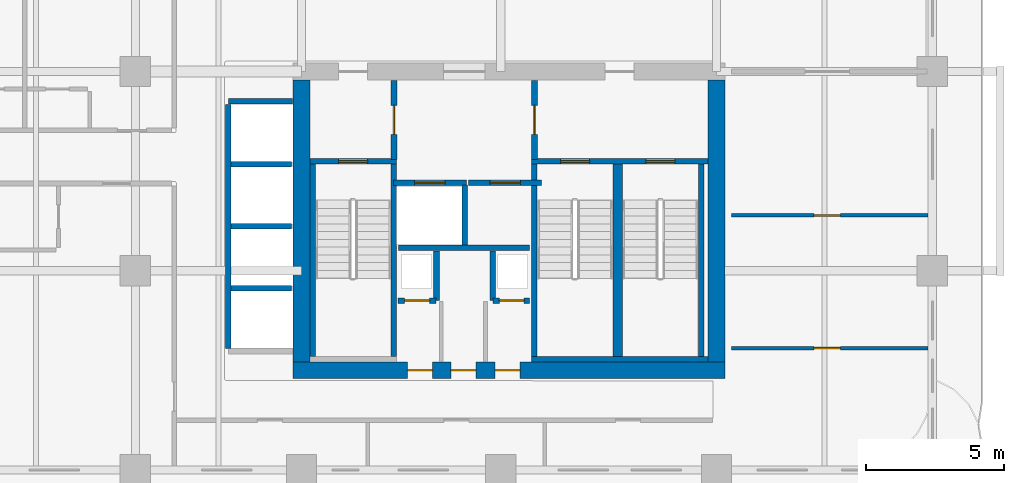
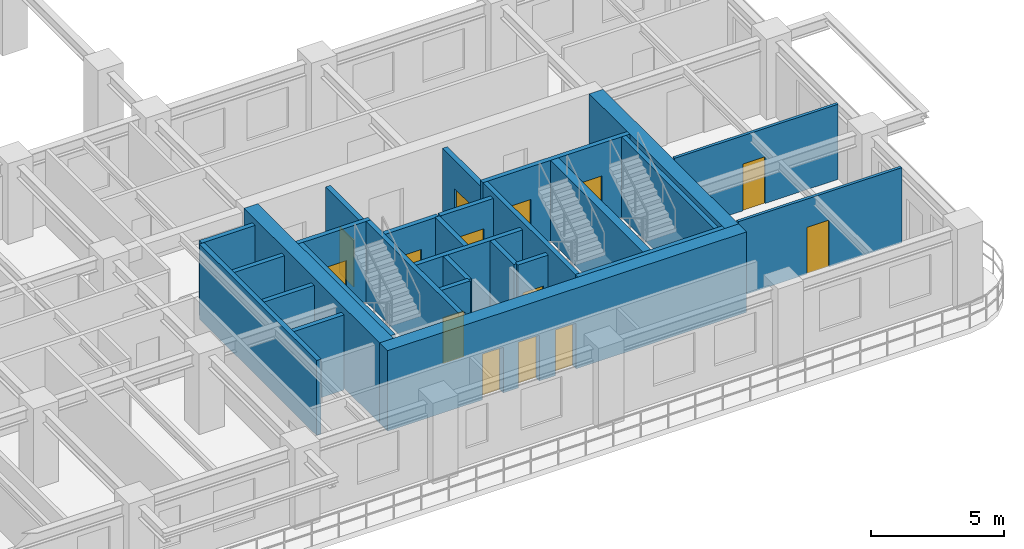
# One storey, part 8 of 18: 28 walls, 14 doors, 14 openings.
"""IFC4 building model written with IfcOpenShell, lengths in metres."""

from ifc_helpers import new_model, si_unit, derived_unit, direction, frame, frame_2d, origin, place, context, subcontext, project, spatial, rectangle, extrude, source, transform, mapped, material, layer, layer_set, type_object, type_shapes, element, fill, save


model = new_model("IFC4")

# Units and contexts
model_context = context("Model", 3, precision=1e-05, world=origin(), true_north=direction((0.0, 1.0)))
body_context = subcontext(model_context, "Body", "Model", "MODEL_VIEW")
ifc_project = project(units=[si_unit("LENGTHUNIT", "METRE"), si_unit("AREAUNIT", "SQUARE_METRE"), si_unit("VOLUMEUNIT", "CUBIC_METRE"), si_unit("PLANEANGLEUNIT", "RADIAN"), si_unit("MASSUNIT", "GRAM", prefix="KILO"), si_unit("THERMODYNAMICTEMPERATUREUNIT", "KELVIN"), si_unit("POWERUNIT", "WATT"), derived_unit("THERMALTRANSMITTANCEUNIT", [(si_unit("POWERUNIT", "WATT"), 1), (si_unit("AREAUNIT", "SQUARE_METRE"), -1), (si_unit("THERMODYNAMICTEMPERATUREUNIT", "KELVIN"), -1)])], contexts=[model_context])

# Site, building, storey
site_placement = place(None, origin())
site = spatial("IfcSite", under=ifc_project, at=site_placement, CompositionType="ELEMENT")
building_placement = place(site_placement, origin())
building = spatial("IfcBuilding", under=site, at=building_placement, Name="Zahravan Archway Hotel and Residences", CompositionType="ELEMENT")
storey_placement = place(building_placement, frame((0.0, 0.0, 50.89990234375)))
storey = spatial("IfcBuildingStorey", under=building, at=storey_placement, Name="L11", CompositionType="ELEMENT", Elevation=50.89990234375)

# Wall, openings, doors
ifc_material_1 = material(Name="Concrete C70/85", Category="concrete")
ifc_layer_1 = layer(ifc_material_1, 0.60009765625, Name="Concrete C70/85", Category="concrete")
ifc_layer_set_1 = layer_set([ifc_layer_1], Name="Concrete C70/85")
wall_type_1 = type_object("IfcWallType", Name="CW-CORE-600", PredefinedType="SHEAR", material=ifc_layer_set_1)
wall_1_placement = place(storey_placement, frame((34.5, 3.60009765625, 0.0), z_axis=(0.0, 0.0, 1.0), x_axis=(1.0, 0.0, 0.0)))
wall_1 = element("IfcWall", 1, at=wall_1_placement, inside=storey, type_object=wall_type_1, Name="L11 Core A Shear S Wall 600 mm", PredefinedType="SHEAR", context=body_context, shape_type="SweptSolid", body=[
    extrude(rectangle(XDim=15.60009765625, YDim=0.60009765625, at=frame_2d((7.800048828125, 0.0))), origin(), (0.0, 0.0, 1.0), 3.7001953125),
])
opening_1_placement = place(wall_1_placement, frame((4.1298828125, 0.0, 0.0)))
opening_1 = element("IfcOpeningElement", 2, at=opening_1_placement, cuts=wall_1, Name="Opening FD-R1", PredefinedType="OPENING", context=body_context, shape_type="SweptSolid", body=[
    extrude(rectangle(XDim=0.89990234375, YDim=2.10009765625, at=frame_2d((0.449951171875, 1.050048828125))), frame((0.0, 0.31005859375, 0.0), z_axis=(0.0, -1.0, 0.0), x_axis=(1.0, 0.0, 0.0)), (0.0, 0.0, 1.0), 0.6201171875),
])
opening_2_placement = place(wall_1_placement, frame((5.699951171875, 0.0, 0.0)))
opening_2 = element("IfcOpeningElement", 3, at=opening_2_placement, cuts=wall_1, Name="Opening FD-R1", PredefinedType="OPENING", context=body_context, shape_type="SweptSolid", body=[
    extrude(rectangle(XDim=0.89990234375, YDim=2.10009765625, at=frame_2d((0.449951171875, 1.050048828125))), frame((0.0, 0.31005859375, 0.0), z_axis=(0.0, -1.0, 0.0), x_axis=(1.0, 0.0, 0.0)), (0.0, 0.0, 1.0), 0.6201171875),
])
opening_3_placement = place(wall_1_placement, frame((7.300048828125, 0.0, 0.0)))
opening_3 = element("IfcOpeningElement", 4, at=opening_3_placement, cuts=wall_1, Name="Opening FD-R1", PredefinedType="OPENING", context=body_context, shape_type="SweptSolid", body=[
    extrude(rectangle(XDim=0.89990234375, YDim=2.10009765625, at=frame_2d((0.449951171875, 1.050048828125))), frame((0.0, 0.31005859375, 0.0), z_axis=(0.0, -1.0, 0.0), x_axis=(1.0, 0.0, 0.0)), (0.0, 0.0, 1.0), 0.6201171875),
])
ifc_material_2 = material(Name="Fire-Rated Painted Steel", Category="steel")
door_type_1 = type_object("IfcDoorType", Name="FD-RISER-900", OperationType="NOTDEFINED", PredefinedType="DOOR", material=ifc_material_2)
shared_shape_1 = source(origin(), body_context, "Body", "SweptSolid", [
    extrude(rectangle(XDim=0.89990234375, YDim=2.10009765625, at=frame_2d((0.449951171875, 1.050048828125))), frame((0.0, 0.02490234375, 0.0), z_axis=(0.0, -1.0, 0.0), x_axis=(1.0, 0.0, 0.0)), (0.0, 0.0, 1.0), 0.050048828125),
])
type_shapes(door_type_1, [shared_shape_1])
door_1_placement = place(opening_1_placement, origin())
door_1 = element("IfcDoor", 5, at=door_1_placement, inside=storey, type_object=door_type_1, Name="L11 Linen Store Door", OperationType="SINGLE_SWING_RIGHT", OverallHeight=2.10009765625, OverallWidth=0.89990234375, PredefinedType="DOOR", context=body_context, shape_type="MappedRepresentation", body=[
    mapped(shared_shape_1, transform((0.0, 0.0, 0.0), scale=1.0)),
])
fill(opening_1, door_1)
door_2_placement = place(opening_2_placement, origin())
door_2 = element("IfcDoor", 6, at=door_2_placement, inside=storey, type_object=door_type_1, Name="L11 Housekeeping Store Door", OperationType="SINGLE_SWING_LEFT", OverallHeight=2.10009765625, OverallWidth=0.89990234375, PredefinedType="DOOR", context=body_context, shape_type="MappedRepresentation", body=[
    mapped(shared_shape_1, transform((0.0, 0.0, 0.0), scale=1.0)),
])
fill(opening_2, door_2)
door_3_placement = place(opening_3_placement, origin())
door_3 = element("IfcDoor", 7, at=door_3_placement, inside=storey, type_object=door_type_1, Name="L11 Janitor Store Door", OperationType="SINGLE_SWING_RIGHT", OverallHeight=2.10009765625, OverallWidth=0.89990234375, PredefinedType="DOOR", context=body_context, shape_type="MappedRepresentation", body=[
    mapped(shared_shape_1, transform((0.0, 0.0, 0.0), scale=1.0)),
])
fill(opening_3, door_3)

# Walls
for number, where, z_axis, x_axis, name in (
    (8, (34.800048828125, 3.89990234375, 0.0), (0.0, 0.0, 1.0), (0.0, 1.0, 0.0), "L11 Core A Shear W Wall 600 mm"),
    (9, (49.800048828125, 3.89990234375, 0.0), (0.0, 0.0, 1.0), (0.0, 1.0, 0.0), "L11 Core A Shear E Wall 600 mm"),
):
    element("IfcWall", number, at=place(storey_placement, frame(where, z_axis=z_axis, x_axis=x_axis)), inside=storey, type_object=wall_type_1, Name=name, PredefinedType="SHEAR", context=body_context, shape_type="SweptSolid", body=[
        extrude(rectangle(XDim=10.2001953125, YDim=0.60009765625, at=frame_2d((5.10009765625, 0.0))), origin(), (0.0, 0.0, 1.0), 3.7001953125),
    ])

# Wall, opening, door
ifc_material_3 = material(Name="Fire-Rated Gypsum & Concrete Block", Category="concrete")
ifc_layer_2 = layer(ifc_material_3, 0.219970703125, Name="Fire-Rated Gypsum & Concrete Block", Category="concrete")
ifc_layer_set_2 = layer_set([ifc_layer_2], Name="Fire-Rated Gypsum & Concrete Block")
wall_type_2 = type_object("IfcWallType", Name="PW-COMP-220", PredefinedType="PARTITIONING", material=ifc_layer_set_2)
wall_2_placement = place(storey_placement, frame((38.139892578125, 11.219970703125, 0.0), z_axis=(0.0, 0.0, 1.0), x_axis=(0.0, 1.0, 0.0)))
wall_2 = element("IfcWall", 10, at=wall_2_placement, inside=storey, type_object=wall_type_2, Name="L11 Partition CA-LOBW", PredefinedType="PARTITIONING", context=body_context, shape_type="SweptSolid", body=[
    extrude(rectangle(XDim=2.860107421875, YDim=0.219970703125, at=frame_2d((1.43017578125, 0.0))), origin(), (0.0, 0.0, 1.0), 3.4501953125),
])
opening_4_placement = place(wall_2_placement, frame((0.905029296875, 0.0, 0.0)))
opening_4 = element("IfcOpeningElement", 11, at=opening_4_placement, cuts=wall_2, Name="Opening FD-L2", PredefinedType="OPENING", context=body_context, shape_type="SweptSolid", body=[
    extrude(rectangle(XDim=1.050048828125, YDim=2.14990234375, at=frame_2d((0.52490234375, 1.074951171875))), frame((0.0, 0.1201171875, 0.0), z_axis=(0.0, -1.0, 0.0), x_axis=(1.0, 0.0, 0.0)), (0.0, 0.0, 1.0), 0.239990234375),
])
door_type_2 = type_object("IfcDoorType", Name="FD-LOBBY-1100", OperationType="NOTDEFINED", PredefinedType="DOOR", material=ifc_material_2)
shared_shape_2 = source(origin(), body_context, "Body", "SweptSolid", [
    extrude(rectangle(XDim=1.050048828125, YDim=2.14990234375, at=frame_2d((0.52490234375, 1.074951171875))), frame((0.0, 0.02490234375, 0.0), z_axis=(0.0, -1.0, 0.0), x_axis=(1.0, 0.0, 0.0)), (0.0, 0.0, 1.0), 0.050048828125),
])
type_shapes(door_type_2, [shared_shape_2])
door_4_placement = place(opening_4_placement, origin())
door_4 = element("IfcDoor", 12, at=door_4_placement, inside=storey, type_object=door_type_2, Name="L11 Core A West Stair to FSAE Lobby Door", OperationType="SINGLE_SWING_RIGHT", OverallHeight=2.14990234375, OverallWidth=1.050048828125, PredefinedType="DOOR", context=body_context, shape_type="MappedRepresentation", body=[
    mapped(shared_shape_2, transform((0.0, 0.0, 0.0), scale=1.0)),
])
fill(opening_4, door_4)

wall_3_placement = place(storey_placement, frame((43.219970703125, 11.219970703125, 0.0), z_axis=(0.0, 0.0, 1.0), x_axis=(0.0, 1.0, 0.0)))
wall_3 = element("IfcWall", 13, at=wall_3_placement, inside=storey, type_object=wall_type_2, Name="L11 Partition CA-LOBE", PredefinedType="PARTITIONING", context=body_context, shape_type="SweptSolid", body=[
    extrude(rectangle(XDim=2.860107421875, YDim=0.219970703125, at=frame_2d((1.43017578125, 0.0))), origin(), (0.0, 0.0, 1.0), 3.4501953125),
])
opening_5_placement = place(wall_3_placement, frame((0.905029296875, 0.0, 0.0)))
opening_5 = element("IfcOpeningElement", 14, at=opening_5_placement, cuts=wall_3, Name="Opening FD-L2", PredefinedType="OPENING", context=body_context, shape_type="SweptSolid", body=[
    extrude(rectangle(XDim=1.050048828125, YDim=2.14990234375, at=frame_2d((0.52490234375, 1.074951171875))), frame((0.0, 0.1201171875, 0.0), z_axis=(0.0, -1.0, 0.0), x_axis=(1.0, 0.0, 0.0)), (0.0, 0.0, 1.0), 0.239990234375),
])
door_5_placement = place(opening_5_placement, origin())
door_5 = element("IfcDoor", 15, at=door_5_placement, inside=storey, type_object=door_type_2, Name="L11 Core A East Stair to FSAE Lobby Door", OperationType="SINGLE_SWING_LEFT", OverallHeight=2.14990234375, OverallWidth=1.050048828125, PredefinedType="DOOR", context=body_context, shape_type="MappedRepresentation", body=[
    mapped(shared_shape_2, transform((0.0, 0.0, 0.0), scale=1.0)),
])
fill(opening_5, door_5)

ifc_material_4 = material(Name="Acoustic Stud Partition")
ifc_layer_3 = layer(ifc_material_4, 0.125, Name="Acoustic Stud Partition")
ifc_layer_set_3 = layer_set([ifc_layer_3], Name="Acoustic Stud Partition")
wall_type_3 = type_object("IfcWallType", Name="PW-INT-125", PredefinedType="PARTITIONING", material=ifc_layer_set_3)
wall_4_placement = place(storey_placement, frame((50.340087890625, 9.199951171875, 0.0), z_axis=(0.0, 0.0, 1.0), x_axis=(1.0, 0.0, 0.0)))
wall_4 = element("IfcWall", 16, at=wall_4_placement, inside=storey, type_object=wall_type_3, Name="L11 Partition EA-EH1", PredefinedType="PARTITIONING", context=body_context, shape_type="SweptSolid", body=[
    extrude(rectangle(XDim=7.11181640625, YDim=0.125, at=frame_2d((3.555908203125, 0.0))), origin(), (0.0, 0.0, 1.0), 3.4501953125),
])
opening_6_placement = place(wall_4_placement, frame((2.985107421875, 0.0, 0.0)))
opening_6 = element("IfcOpeningElement", 17, at=opening_6_placement, cuts=wall_4, Name="Opening D-I1", PredefinedType="OPENING", context=body_context, shape_type="SweptSolid", body=[
    extrude(rectangle(XDim=0.949951171875, YDim=2.14990234375, at=frame_2d((0.47509765625, 1.074951171875))), frame((0.0, 0.072509765625, 0.0), z_axis=(0.0, -1.0, 0.0), x_axis=(1.0, 0.0, 0.0)), (0.0, 0.0, 1.0), 0.14501953125),
])
ifc_material_5 = material(Name="Hardwood Veneer Timber", Category="wood")
door_type_3 = type_object("IfcDoorType", Name="ID-INT-950", OperationType="NOTDEFINED", PredefinedType="DOOR", material=ifc_material_5)
shared_shape_3 = source(origin(), body_context, "Body", "SweptSolid", [
    extrude(rectangle(XDim=0.949951171875, YDim=2.14990234375, at=frame_2d((0.47509765625, 1.074951171875))), frame((0.0, 0.02490234375, 0.0), z_axis=(0.0, -1.0, 0.0), x_axis=(1.0, 0.0, 0.0)), (0.0, 0.0, 1.0), 0.050048828125),
])
type_shapes(door_type_3, [shared_shape_3])
door_6_placement = place(opening_6_placement, origin())
door_6 = element("IfcDoor", 18, at=door_6_placement, inside=storey, type_object=door_type_3, Name="L11 East Study Lounge Door", OperationType="SINGLE_SWING_RIGHT", OverallHeight=2.14990234375, OverallWidth=0.949951171875, PredefinedType="DOOR", context=body_context, shape_type="MappedRepresentation", body=[
    mapped(shared_shape_3, transform((0.0, 0.0, 0.0), scale=1.0)),
])
fill(opening_6, door_6)

wall_5_placement = place(storey_placement, frame((50.340087890625, 4.39990234375, 0.0), z_axis=(0.0, 0.0, 1.0), x_axis=(1.0, 0.0, 0.0)))
wall_5 = element("IfcWall", 19, at=wall_5_placement, inside=storey, type_object=wall_type_3, Name="L11 Partition EA-EH2", PredefinedType="PARTITIONING", context=body_context, shape_type="SweptSolid", body=[
    extrude(rectangle(XDim=7.11181640625, YDim=0.125, at=frame_2d((3.555908203125, 0.0))), origin(), (0.0, 0.0, 1.0), 3.4501953125),
])
opening_7_placement = place(wall_5_placement, frame((2.985107421875, 0.0, 0.0)))
opening_7 = element("IfcOpeningElement", 20, at=opening_7_placement, cuts=wall_5, Name="Opening D-I1", PredefinedType="OPENING", context=body_context, shape_type="SweptSolid", body=[
    extrude(rectangle(XDim=0.949951171875, YDim=2.14990234375, at=frame_2d((0.47509765625, 1.074951171875))), frame((0.0, 0.072509765625, 0.0), z_axis=(0.0, -1.0, 0.0), x_axis=(1.0, 0.0, 0.0)), (0.0, 0.0, 1.0), 0.14501953125),
])
door_7_placement = place(opening_7_placement, origin())
door_7 = element("IfcDoor", 21, at=door_7_placement, inside=storey, type_object=door_type_3, Name="L11 East Clinic Consult Door", OperationType="SINGLE_SWING_LEFT", OverallHeight=2.14990234375, OverallWidth=0.949951171875, PredefinedType="DOOR", context=body_context, shape_type="MappedRepresentation", body=[
    mapped(shared_shape_3, transform((0.0, 0.0, 0.0), scale=1.0)),
])
fill(opening_7, door_7)

# Walls
ifc_layer_4 = layer(ifc_material_3, 0.199951171875, Name="Fire-Rated Gypsum & Concrete Block", Category="concrete")
ifc_layer_set_4 = layer_set([ifc_layer_4], Name="Fire-Rated Gypsum & Concrete Block")
wall_type_4 = type_object("IfcWallType", Name="PW-SHAFT-200", PredefinedType="PARTITIONING", material=ifc_layer_set_4)
wall_6_placement = place(storey_placement, frame((38.300048828125, 8.030029296875, 0.0), z_axis=(0.0, 0.0, 1.0), x_axis=(1.0, 0.0, 0.0)))
element("IfcWall", 22, at=wall_6_placement, inside=storey, type_object=wall_type_4, Name="L11 Partition CA-FLS", PredefinedType="PARTITIONING", context=body_context, shape_type="SweptSolid", body=[
    extrude(rectangle(XDim=4.739990234375, YDim=0.199951171875, at=frame_2d((2.3701171875, 0.0))), origin(), (0.0, 0.0, 1.0), 3.4501953125),
])
wall_7_placement = place(storey_placement, frame((40.699951171875, 8.1201171875, 0.0), z_axis=(0.0, 0.0, 1.0), x_axis=(0.0, 1.0, 0.0)))
element("IfcWall", 23, at=wall_7_placement, inside=storey, type_object=wall_type_4, Name="L11 Partition CA-FLM", PredefinedType="PARTITIONING", context=body_context, shape_type="SweptSolid", body=[
    extrude(rectangle(XDim=2.179931640625, YDim=0.199951171875, at=frame_2d((1.08984375, 0.0))), origin(), (0.0, 0.0, 1.0), 3.4501953125),
])

# Wall, opening, door
wall_8_placement = place(storey_placement, frame((38.2900390625, 6.1201171875, 0.0), z_axis=(0.0, 0.0, 1.0), x_axis=(1.0, 0.0, 0.0)))
wall_8 = element("IfcWall", 24, at=wall_8_placement, inside=storey, type_object=wall_type_4, Name="L11 Partition CA-SMKS", PredefinedType="PARTITIONING", context=body_context, shape_type="SweptSolid", body=[
    extrude(rectangle(XDim=1.3798828125, YDim=0.199951171875, at=frame_2d((0.68994140625, 0.0))), origin(), (0.0, 0.0, 1.0), 3.4501953125),
])
opening_8_placement = place(wall_8_placement, frame((0.239990234375, 0.0, 0.0)))
opening_8 = element("IfcOpeningElement", 25, at=opening_8_placement, cuts=wall_8, Name="Opening FD-R1", PredefinedType="OPENING", context=body_context, shape_type="SweptSolid", body=[
    extrude(rectangle(XDim=0.89990234375, YDim=2.10009765625, at=frame_2d((0.449951171875, 1.050048828125))), frame((0.0, 0.10986328125, 0.0), z_axis=(0.0, -1.0, 0.0), x_axis=(1.0, 0.0, 0.0)), (0.0, 0.0, 1.0), 0.219970703125),
])
door_8_placement = place(opening_8_placement, origin())
door_8 = element("IfcDoor", 26, at=door_8_placement, inside=storey, type_object=door_type_1, Name="L11 Smoke Riser Access Door", OperationType="SINGLE_SWING_RIGHT", OverallHeight=2.10009765625, OverallWidth=0.89990234375, PredefinedType="DOOR", context=body_context, shape_type="MappedRepresentation", body=[
    mapped(shared_shape_1, transform((0.0, 0.0, 0.0), scale=1.0)),
])
fill(opening_8, door_8)

# Wall
wall_9_placement = place(storey_placement, frame((39.679931640625, 6.1298828125, 0.0), z_axis=(0.0, 0.0, 1.0), x_axis=(0.0, 1.0, 0.0)))
element("IfcWall", 27, at=wall_9_placement, inside=storey, type_object=wall_type_4, Name="L11 Partition CA-SMKE", PredefinedType="PARTITIONING", context=body_context, shape_type="SweptSolid", body=[
    extrude(rectangle(XDim=1.7900390625, YDim=0.199951171875, at=frame_2d((0.89501953125, 0.0))), origin(), (0.0, 0.0, 1.0), 3.4501953125),
])

# Wall, opening, door
wall_10_placement = place(storey_placement, frame((41.72998046875, 6.1201171875, 0.0), z_axis=(0.0, 0.0, 1.0), x_axis=(1.0, 0.0, 0.0)))
wall_10 = element("IfcWall", 28, at=wall_10_placement, inside=storey, type_object=wall_type_4, Name="L11 Partition CA-MEPS", PredefinedType="PARTITIONING", context=body_context, shape_type="SweptSolid", body=[
    extrude(rectangle(XDim=1.320068359375, YDim=0.199951171875, at=frame_2d((0.66015625, 0.0))), origin(), (0.0, 0.0, 1.0), 3.4501953125),
])
opening_9_placement = place(wall_10_placement, frame((0.219970703125, 0.0, 0.0)))
opening_9 = element("IfcOpeningElement", 29, at=opening_9_placement, cuts=wall_10, Name="Opening FD-R1", PredefinedType="OPENING", context=body_context, shape_type="SweptSolid", body=[
    extrude(rectangle(XDim=0.89990234375, YDim=2.10009765625, at=frame_2d((0.449951171875, 1.050048828125))), frame((0.0, 0.10986328125, 0.0), z_axis=(0.0, -1.0, 0.0), x_axis=(1.0, 0.0, 0.0)), (0.0, 0.0, 1.0), 0.219970703125),
])
door_9_placement = place(opening_9_placement, origin())
door_9 = element("IfcDoor", 30, at=door_9_placement, inside=storey, type_object=door_type_1, Name="L11 MEP Riser Access Door", OperationType="SINGLE_SWING_LEFT", OverallHeight=2.10009765625, OverallWidth=0.89990234375, PredefinedType="DOOR", context=body_context, shape_type="MappedRepresentation", body=[
    mapped(shared_shape_1, transform((0.0, 0.0, 0.0), scale=1.0)),
])
fill(opening_9, door_9)

# Walls
wall_11_placement = place(storey_placement, frame((41.719970703125, 6.1298828125, 0.0), z_axis=(0.0, 0.0, 1.0), x_axis=(0.0, 1.0, 0.0)))
element("IfcWall", 31, at=wall_11_placement, inside=storey, type_object=wall_type_4, Name="L11 Partition CA-MEPW", PredefinedType="PARTITIONING", context=body_context, shape_type="SweptSolid", body=[
    extrude(rectangle(XDim=1.7900390625, YDim=0.199951171875, at=frame_2d((0.89501953125, 0.0))), origin(), (0.0, 0.0, 1.0), 3.4501953125),
])
wall_12_placement = place(storey_placement, frame((32.159912109375, 13.320068359375, 0.0), z_axis=(0.0, 0.0, 1.0), x_axis=(1.0, 0.0, 0.0)))
element("IfcWall", 32, at=wall_12_placement, inside=storey, type_object=wall_type_4, Name="L11 Partition B3-N", PredefinedType="PARTITIONING", context=body_context, shape_type="SweptSolid", body=[
    extrude(rectangle(XDim=2.31005859375, YDim=0.199951171875, at=frame_2d((1.155029296875, 0.0))), origin(), (0.0, 0.0, 1.0), 3.4501953125),
])
wall_13_placement = place(storey_placement, frame((32.14990234375, 4.389892578125, 0.0), z_axis=(0.0, 0.0, 1.0), x_axis=(0.0, 1.0, 0.0)))
element("IfcWall", 33, at=wall_13_placement, inside=storey, type_object=wall_type_4, Name="L11 Partition B3-W", PredefinedType="PARTITIONING", context=body_context, shape_type="SweptSolid", body=[
    extrude(rectangle(XDim=8.820068359375, YDim=0.199951171875, at=frame_2d((4.41015625, 0.0))), origin(), (0.0, 0.0, 1.0), 3.4501953125),
])
for number, where, z_axis, x_axis, name in (
    (34, (32.260009765625, 6.56005859375, 0.0), (0.0, 0.0, 1.0), (1.0, 0.0, 0.0), "L11 Partition B3-D"),
    (35, (32.260009765625, 8.800048828125, 0.0), (0.0, 0.0, 1.0), (1.0, 0.0, 0.0), "L11 Partition B3-D"),
    (36, (32.260009765625, 11.0400390625, 0.0), (0.0, 0.0, 1.0), (1.0, 0.0, 0.0), "L11 Partition B3-D"),
):
    element("IfcWall", number, at=place(storey_placement, frame(where, z_axis=z_axis, x_axis=x_axis)), inside=storey, type_object=wall_type_4, Name=name, PredefinedType="PARTITIONING", context=body_context, shape_type="SweptSolid", body=[
        extrude(rectangle(XDim=2.179931640625, YDim=0.199951171875, at=frame_2d((1.08984375, 0.0))), origin(), (0.0, 0.0, 1.0), 3.4501953125),
    ])

# Wall, opening, door
wall_14_placement = place(storey_placement, frame((38.1201171875, 10.3701171875, 0.0), z_axis=(0.0, 0.0, 1.0), x_axis=(1.0, 0.0, 0.0)))
wall_14 = element("IfcWall", 37, at=wall_14_placement, inside=storey, type_object=wall_type_4, Name="L11 Lift FL-1 Front Wall", PredefinedType="PARTITIONING", context=body_context, shape_type="SweptSolid", body=[
    extrude(rectangle(XDim=2.639892578125, YDim=0.199951171875, at=frame_2d((1.31982421875, 0.0))), origin(), (0.0, 0.0, 1.0), 3.4501953125),
])
opening_10_placement = place(wall_14_placement, frame((0.77001953125, 0.0, 0.0)))
opening_10 = element("IfcOpeningElement", 38, at=opening_10_placement, cuts=wall_14, Name="Opening LD", PredefinedType="OPENING", context=body_context, shape_type="SweptSolid", body=[
    extrude(rectangle(XDim=1.10009765625, YDim=2.199951171875, at=frame_2d((0.550048828125, 1.10009765625))), frame((0.0, 0.10986328125, 0.0), z_axis=(0.0, -1.0, 0.0), x_axis=(1.0, 0.0, 0.0)), (0.0, 0.0, 1.0), 0.219970703125),
])
ifc_material_6 = material(Name="Brushed Stainless Steel", Category="steel")
door_type_4 = type_object("IfcDoorType", Name="DR-LIFT-LD", OperationType="SLIDING_TO_LEFT", PredefinedType="DOOR", material=ifc_material_6)
shared_shape_4 = source(origin(), body_context, "Body", "SweptSolid", [
    extrude(rectangle(XDim=1.10009765625, YDim=2.199951171875, at=frame_2d((0.550048828125, 1.10009765625))), frame((0.0, 0.02490234375, 0.0), z_axis=(0.0, -1.0, 0.0), x_axis=(1.0, 0.0, 0.0)), (0.0, 0.0, 1.0), 0.050048828125),
])
type_shapes(door_type_4, [shared_shape_4])
door_10_placement = place(opening_10_placement, origin())
door_10 = element("IfcDoor", 39, at=door_10_placement, inside=storey, type_object=door_type_4, Name="L11 Lift FL-1 Sliding Landing Door", OperationType="SLIDING_TO_LEFT", OverallHeight=2.199951171875, OverallWidth=1.10009765625, PredefinedType="DOOR", context=body_context, shape_type="MappedRepresentation", body=[
    mapped(shared_shape_4, transform((0.0, 0.0, 0.0), scale=1.0)),
])
fill(opening_10, door_10)

wall_15_placement = place(storey_placement, frame((40.840087890625, 10.3701171875, 0.0), z_axis=(0.0, 0.0, 1.0), x_axis=(1.0, 0.0, 0.0)))
wall_15 = element("IfcWall", 40, at=wall_15_placement, inside=storey, type_object=wall_type_4, Name="L11 Lift FL-2 Front Wall", PredefinedType="PARTITIONING", context=body_context, shape_type="SweptSolid", body=[
    extrude(rectangle(XDim=2.639892578125, YDim=0.199951171875, at=frame_2d((1.31982421875, 0.0))), origin(), (0.0, 0.0, 1.0), 3.4501953125),
])
opening_11_placement = place(wall_15_placement, frame((0.77001953125, 0.0, 0.0)))
opening_11 = element("IfcOpeningElement", 41, at=opening_11_placement, cuts=wall_15, Name="Opening LD", PredefinedType="OPENING", context=body_context, shape_type="SweptSolid", body=[
    extrude(rectangle(XDim=1.10009765625, YDim=2.199951171875, at=frame_2d((0.550048828125, 1.10009765625))), frame((0.0, 0.10986328125, 0.0), z_axis=(0.0, -1.0, 0.0), x_axis=(1.0, 0.0, 0.0)), (0.0, 0.0, 1.0), 0.219970703125),
])
door_11_placement = place(opening_11_placement, origin())
door_11 = element("IfcDoor", 42, at=door_11_placement, inside=storey, type_object=door_type_4, Name="L11 Lift FL-2 Sliding Landing Door", OperationType="SLIDING_TO_LEFT", OverallHeight=2.199951171875, OverallWidth=1.10009765625, PredefinedType="DOOR", context=body_context, shape_type="MappedRepresentation", body=[
    mapped(shared_shape_4, transform((0.0, 0.0, 0.0), scale=1.0)),
])
fill(opening_11, door_11)

# Walls
ifc_material_7 = material(Name="Concrete C50/60", Category="concrete")
ifc_layer_5 = layer(ifc_material_7, 0.199951171875, Name="Concrete C50/60", Category="concrete")
ifc_layer_set_5 = layer_set([ifc_layer_5], Name="Concrete C50/60")
wall_type_5 = type_object("IfcWallType", Name="SW-STAIR-200", PredefinedType="SHEAR", material=ifc_layer_set_5)
for number, where, z_axis, x_axis, name in (
    (43, (35.199951171875, 4.10009765625, 0.0), (0.0, 0.0, 1.0), (0.0, 1.0, 0.0), "L11 Stairwell RC Wall CA-SA1W"),
    (44, (38.139892578125, 4.10009765625, 0.0), (0.0, 0.0, 1.0), (0.0, 1.0, 0.0), "L11 Stairwell RC Wall CA-SA1E"),
):
    element("IfcWall", number, at=place(storey_placement, frame(where, z_axis=z_axis, x_axis=x_axis)), inside=storey, type_object=wall_type_5, Name=name, PredefinedType="SHEAR", context=body_context, shape_type="SweptSolid", body=[
        extrude(rectangle(XDim=6.949951171875, YDim=0.199951171875, at=frame_2d((3.47509765625, 0.0))), origin(), (0.0, 0.0, 1.0), 3.7001953125),
    ])

# Wall, opening, door
wall_16_placement = place(storey_placement, frame((35.10009765625, 11.14990234375, 0.0), z_axis=(0.0, 0.0, 1.0), x_axis=(1.0, 0.0, 0.0)))
wall_16 = element("IfcWall", 45, at=wall_16_placement, inside=storey, type_object=wall_type_5, Name="L11 Stairwell RC Wall CA-SA1N", PredefinedType="SHEAR", context=body_context, shape_type="SweptSolid", body=[
    extrude(rectangle(XDim=3.139892578125, YDim=0.199951171875, at=frame_2d((1.56982421875, 0.0))), origin(), (0.0, 0.0, 1.0), 3.7001953125),
])
opening_12_placement = place(wall_16_placement, frame((1.044921875, 0.0, 0.0)))
opening_12 = element("IfcOpeningElement", 46, at=opening_12_placement, cuts=wall_16, Name="Opening FD-S1", PredefinedType="OPENING", context=body_context, shape_type="SweptSolid", body=[
    extrude(rectangle(XDim=1.050048828125, YDim=2.199951171875, at=frame_2d((0.52490234375, 1.10009765625))), frame((0.0, 0.10986328125, 0.0), z_axis=(0.0, -1.0, 0.0), x_axis=(1.0, 0.0, 0.0)), (0.0, 0.0, 1.0), 0.219970703125),
])
door_type_5 = type_object("IfcDoorType", Name="FD-STAIR-1100", OperationType="NOTDEFINED", PredefinedType="DOOR", material=ifc_material_2)
shared_shape_5 = source(origin(), body_context, "Body", "SweptSolid", [
    extrude(rectangle(XDim=1.050048828125, YDim=2.199951171875, at=frame_2d((0.52490234375, 1.10009765625))), frame((0.0, 0.02490234375, 0.0), z_axis=(0.0, -1.0, 0.0), x_axis=(1.0, 0.0, 0.0)), (0.0, 0.0, 1.0), 0.050048828125),
])
type_shapes(door_type_5, [shared_shape_5])
door_12_placement = place(opening_12_placement, origin())
door_12 = element("IfcDoor", 47, at=door_12_placement, inside=storey, type_object=door_type_5, Name="L11 Stair ST-A1 Door", OperationType="SINGLE_SWING_LEFT", OverallHeight=2.199951171875, OverallWidth=1.050048828125, PredefinedType="DOOR", context=body_context, shape_type="MappedRepresentation", body=[
    mapped(shared_shape_5, transform((0.0, 0.0, 0.0), scale=1.0)),
])
fill(opening_12, door_12)

# Walls
wall_17_placement = place(storey_placement, frame((43.1201171875, 4.0, 0.0), z_axis=(0.0, 0.0, 1.0), x_axis=(1.0, 0.0, 0.0)))
element("IfcWall", 48, at=wall_17_placement, inside=storey, type_object=wall_type_5, Name="L11 Stairwell RC Wall CA-SA23S", PredefinedType="SHEAR", context=body_context, shape_type="SweptSolid", body=[
    extrude(rectangle(XDim=6.3798828125, YDim=0.199951171875, at=frame_2d((3.18994140625, 0.0))), origin(), (0.0, 0.0, 1.0), 3.7001953125),
])
for number, where, z_axis, x_axis, name in (
    (49, (43.219970703125, 4.10009765625, 0.0), (0.0, 0.0, 1.0), (0.0, 1.0, 0.0), "L11 Stairwell RC Wall CA-SA2W"),
    (50, (49.239990234375, 4.10009765625, 0.0), (0.0, 0.0, 1.0), (0.0, 1.0, 0.0), "L11 Stairwell RC Wall CA-SA3E"),
):
    element("IfcWall", number, at=place(storey_placement, frame(where, z_axis=z_axis, x_axis=x_axis)), inside=storey, type_object=wall_type_5, Name=name, PredefinedType="SHEAR", context=body_context, shape_type="SweptSolid", body=[
        extrude(rectangle(XDim=6.949951171875, YDim=0.199951171875, at=frame_2d((3.47509765625, 0.0))), origin(), (0.0, 0.0, 1.0), 3.7001953125),
    ])

# Wall, openings, doors
wall_18_placement = place(storey_placement, frame((43.1201171875, 11.14990234375, 0.0), z_axis=(0.0, 0.0, 1.0), x_axis=(1.0, 0.0, 0.0)))
wall_18 = element("IfcWall", 51, at=wall_18_placement, inside=storey, type_object=wall_type_5, Name="L11 Stairwell RC Wall CA-SA23N", PredefinedType="SHEAR", context=body_context, shape_type="SweptSolid", body=[
    extrude(rectangle(XDim=6.3798828125, YDim=0.199951171875, at=frame_2d((3.18994140625, 0.0))), origin(), (0.0, 0.0, 1.0), 3.7001953125),
])
opening_13_placement = place(wall_18_placement, frame((1.044921875, 0.0, 0.0)))
opening_13 = element("IfcOpeningElement", 52, at=opening_13_placement, cuts=wall_18, Name="Opening FD-S1", PredefinedType="OPENING", context=body_context, shape_type="SweptSolid", body=[
    extrude(rectangle(XDim=1.050048828125, YDim=2.199951171875, at=frame_2d((0.52490234375, 1.10009765625))), frame((0.0, 0.10986328125, 0.0), z_axis=(0.0, -1.0, 0.0), x_axis=(1.0, 0.0, 0.0)), (0.0, 0.0, 1.0), 0.219970703125),
])
opening_14_placement = place(wall_18_placement, frame((4.125, 0.0, 0.0)))
opening_14 = element("IfcOpeningElement", 53, at=opening_14_placement, cuts=wall_18, Name="Opening FD-S1", PredefinedType="OPENING", context=body_context, shape_type="SweptSolid", body=[
    extrude(rectangle(XDim=1.050048828125, YDim=2.199951171875, at=frame_2d((0.52490234375, 1.10009765625))), frame((0.0, 0.10986328125, 0.0), z_axis=(0.0, -1.0, 0.0), x_axis=(1.0, 0.0, 0.0)), (0.0, 0.0, 1.0), 0.219970703125),
])
door_13_placement = place(opening_13_placement, origin())
door_13 = element("IfcDoor", 54, at=door_13_placement, inside=storey, type_object=door_type_5, Name="L11 Stair ST-A2 Door", OperationType="SINGLE_SWING_RIGHT", OverallHeight=2.199951171875, OverallWidth=1.050048828125, PredefinedType="DOOR", context=body_context, shape_type="MappedRepresentation", body=[
    mapped(shared_shape_5, transform((0.0, 0.0, 0.0), scale=1.0)),
])
fill(opening_13, door_13)
door_14_placement = place(opening_14_placement, origin())
door_14 = element("IfcDoor", 55, at=door_14_placement, inside=storey, type_object=door_type_5, Name="L11 Stair ST-A3 Door", OperationType="SINGLE_SWING_LEFT", OverallHeight=2.199951171875, OverallWidth=1.050048828125, PredefinedType="DOOR", context=body_context, shape_type="MappedRepresentation", body=[
    mapped(shared_shape_5, transform((0.0, 0.0, 0.0), scale=1.0)),
])
fill(opening_14, door_14)

# Wall
ifc_layer_6 = layer(ifc_material_7, 0.340087890625, Name="Concrete C50/60", Category="concrete")
ifc_layer_set_6 = layer_set([ifc_layer_6], Name="Concrete C50/60")
wall_type_6 = type_object("IfcWallType", Name="SW-STAIR-340", PredefinedType="SHEAR", material=ifc_layer_set_6)
wall_19_placement = place(storey_placement, frame((46.22998046875, 4.10009765625, 0.0), z_axis=(0.0, 0.0, 1.0), x_axis=(0.0, 1.0, 0.0)))
element("IfcWall", 56, at=wall_19_placement, inside=storey, type_object=wall_type_6, Name="L11 Stairwell RC Wall CA-SA23M", PredefinedType="SHEAR", context=body_context, shape_type="SweptSolid", body=[
    extrude(rectangle(XDim=6.949951171875, YDim=0.340087890625, at=frame_2d((3.47509765625, 0.0))), origin(), (0.0, 0.0, 1.0), 3.7001953125),
])

save(model, "model.ifc")
